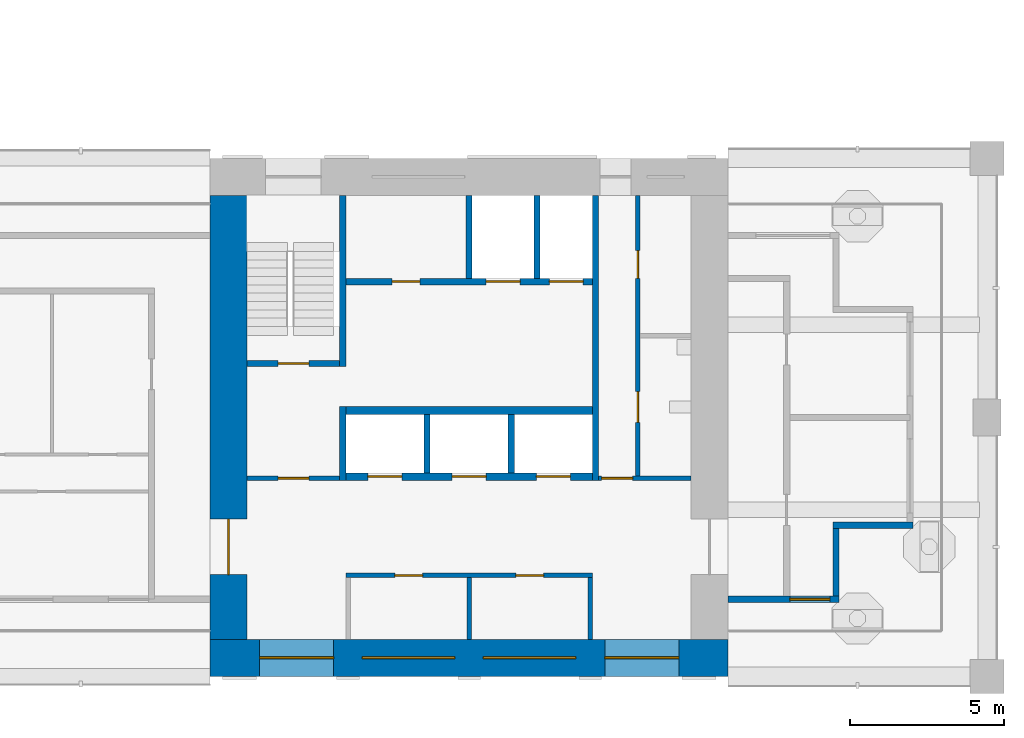
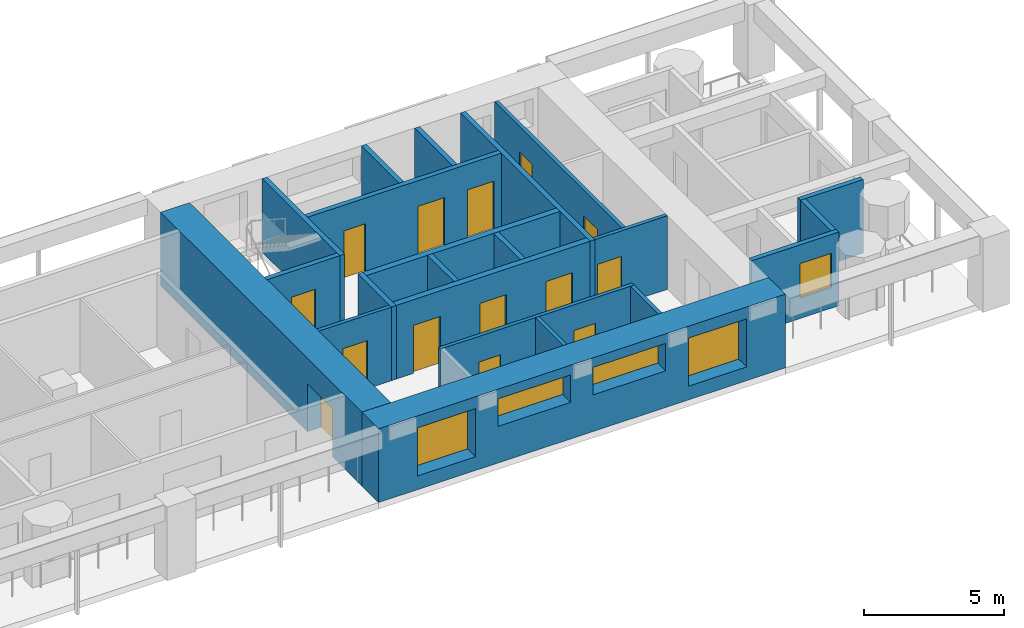
# One storey, part 4 of 13: 22 walls, 14 doors, 5 windows, 19 openings.
"""IFC4 building model written with IfcOpenShell, lengths in metres."""

from ifc_helpers import new_model, si_unit, direction, frame, frame_2d, origin, place, context, subcontext, project, spatial, rectangle, extrude, material, layer, layer_set, type_object, element, fill, save


model = new_model("IFC4")

# Units and contexts
model_context = context("Model", 3, precision=1e-05, world=origin(), true_north=direction((0.0, 1.0)))
body_context = subcontext(model_context, "Body", "Model", "MODEL_VIEW")
ifc_project = project(units=[si_unit("LENGTHUNIT", "METRE"), si_unit("AREAUNIT", "SQUARE_METRE"), si_unit("VOLUMEUNIT", "CUBIC_METRE"), si_unit("PLANEANGLEUNIT", "RADIAN"), si_unit("MASSUNIT", "GRAM", prefix="KILO")], contexts=[model_context])

# Site, building, storey
site_placement = place(None, origin())
site = spatial("IfcSite", under=ifc_project, at=site_placement, CompositionType="ELEMENT")
building_placement = place(site_placement, origin())
building = spatial("IfcBuilding", under=site, at=building_placement, Name="Vermilion Gate Residences", CompositionType="ELEMENT")
storey_placement = place(building_placement, frame((0.0, 0.0, 179.199951171875)))
storey = spatial("IfcBuildingStorey", under=building, at=storey_placement, Name="L46", CompositionType="ELEMENT", Elevation=179.199951171875)

# Walls
ifc_material_1 = material(Name="Masonry blockwork", Category="masonry")
ifc_layer_1 = layer(ifc_material_1, 0.14990234375)
ifc_layer_set_1 = layer_set([ifc_layer_1], Name="BLOCKWORK PARTITION 150 EI 120")
wall_type_1 = type_object("IfcWallType", Name="BLOCKWORK PARTITION 150 EI 120", PredefinedType="PARTITIONING", material=ifc_layer_set_1)
for number, where, z_axis, x_axis, name in (
    (1, (54.324951171875, 9.60009765625, 0.0), (0.0, 0.0, 1.0), (0.0, 1.0, 0.0), "Core room partition A46-RW-E"),
    (2, (50.39990234375, 9.60009765625, 0.0), (0.0, 0.0, 1.0), (0.0, 1.0, 0.0), "Core room partition A46-SR-P0"),
):
    element("IfcWall", number, at=place(storey_placement, frame(where, z_axis=z_axis, x_axis=x_axis)), inside=storey, type_object=wall_type_1, Name=name, PredefinedType="PARTITIONING", context=body_context, shape_type="SweptSolid", body=[
        extrude(rectangle(XDim=2.0, YDim=0.14990234375, at=frame_2d((1.0, 0.0))), origin(), (0.0, 0.0, 1.0), 3.219970703125),
    ])

# Wall, openings, doors
wall_1_placement = place(storey_placement, frame((46.39990234375, 11.675048828125, 0.0), z_axis=(0.0, 0.0, 1.0), x_axis=(1.0, 0.0, 0.0)))
wall_1 = element("IfcWall", 3, at=wall_1_placement, inside=storey, type_object=wall_type_1, Name="Core room partition A46-LR-F", PredefinedType="PARTITIONING", context=body_context, shape_type="SweptSolid", body=[
    extrude(rectangle(XDim=8.0, YDim=0.14990234375, at=frame_2d((4.0, 0.0))), origin(), (0.0, 0.0, 1.0), 3.219970703125),
])
opening_1_placement = place(wall_1_placement, frame((1.58740234375, 0.0, 0.0)))
opening_1 = element("IfcOpeningElement", 4, at=opening_1_placement, cuts=wall_1, Name="Opening DK46003", PredefinedType="OPENING", context=body_context, shape_type="SweptSolid", body=[
    extrude(rectangle(XDim=0.89990234375, YDim=2.10009765625, at=frame_2d((0.449951171875, 1.050048828125))), frame((0.0, 0.0849609375, 0.0), z_axis=(0.0, -1.0, 0.0), x_axis=(1.0, 0.0, 0.0)), (0.0, 0.0, 1.0), 0.169921875),
])
opening_2_placement = place(wall_1_placement, frame((5.512451171875, 0.0, 0.0)))
opening_2 = element("IfcOpeningElement", 5, at=opening_2_placement, cuts=wall_1, Name="Opening DK46004", PredefinedType="OPENING", context=body_context, shape_type="SweptSolid", body=[
    extrude(rectangle(XDim=0.89990234375, YDim=2.10009765625, at=frame_2d((0.449951171875, 1.050048828125))), frame((0.0, 0.0849609375, 0.0), z_axis=(0.0, -1.0, 0.0), x_axis=(1.0, 0.0, 0.0)), (0.0, 0.0, 1.0), 0.169921875),
])
ifc_material_2 = material(Name="Steel", Category="steel")
door_type_1 = type_object("IfcDoorType", Name="SERVICE ROOM DOOR FD60 900 X 2100", OperationType="SINGLE_SWING_LEFT", PredefinedType="DOOR", material=ifc_material_2)
door_1_placement = place(opening_1_placement, frame((0.89990234375, 0.0, 0.0), z_axis=(0.0, 0.0, 1.0), x_axis=(-1.0, 0.0, 0.0)))
door_1 = element("IfcDoor", 6, at=door_1_placement, inside=storey, type_object=door_type_1, Name="Mail room A46", OperationType="SINGLE_SWING_RIGHT", OverallHeight=2.10009765625, OverallWidth=0.89990234375, PredefinedType="DOOR", context=body_context, shape_type="SweptSolid", body=[
    extrude(rectangle(XDim=0.89990234375, YDim=2.10009765625, at=frame_2d((0.449951171875, 1.050048828125))), frame((0.0, 0.02490234375, 0.0), z_axis=(0.0, -1.0, 0.0), x_axis=(1.0, 0.0, 0.0)), (0.0, 0.0, 1.0), 0.050048828125),
])
fill(opening_1, door_1)
door_2_placement = place(opening_2_placement, frame((0.89990234375, 0.0, 0.0), z_axis=(0.0, 0.0, 1.0), x_axis=(-1.0, 0.0, 0.0)))
door_2 = element("IfcDoor", 7, at=door_2_placement, inside=storey, type_object=door_type_1, Name="Cleaner's store A46", OperationType="SINGLE_SWING_RIGHT", OverallHeight=2.10009765625, OverallWidth=0.89990234375, PredefinedType="DOOR", context=body_context, shape_type="SweptSolid", body=[
    extrude(rectangle(XDim=0.89990234375, YDim=2.10009765625, at=frame_2d((0.449951171875, 1.050048828125))), frame((0.0, 0.02490234375, 0.0), z_axis=(0.0, -1.0, 0.0), x_axis=(1.0, 0.0, 0.0)), (0.0, 0.0, 1.0), 0.050048828125),
])
fill(opening_2, door_2)

# Wall, opening, door
wall_2_placement = place(storey_placement, frame((43.199951171875, 14.824951171875, 0.0), z_axis=(0.0, 0.0, 1.0), x_axis=(1.0, 0.0, 0.0)))
wall_2 = element("IfcWall", 8, at=wall_2_placement, inside=storey, type_object=wall_type_1, Name="Core room partition A46-VW-S", PredefinedType="PARTITIONING", context=body_context, shape_type="SweptSolid", body=[
    extrude(rectangle(XDim=3.0, YDim=0.14990234375, at=frame_2d((1.5, 0.0))), origin(), (0.0, 0.0, 1.0), 3.219970703125),
])
opening_3_placement = place(wall_2_placement, frame((1.0, 0.0, 0.0)))
opening_3 = element("IfcOpeningElement", 9, at=opening_3_placement, cuts=wall_2, Name="Opening DK46011", PredefinedType="OPENING", context=body_context, shape_type="SweptSolid", body=[
    extrude(rectangle(XDim=1.0, YDim=2.10009765625, at=frame_2d((0.5, 1.050048828125))), frame((0.0, 0.0849609375, 0.0), z_axis=(0.0, -1.0, 0.0), x_axis=(1.0, 0.0, 0.0)), (0.0, 0.0, 1.0), 0.169921875),
])
ifc_material_3 = material(Name="Steel", Category="steel")
door_type_2 = type_object("IfcDoorType", Name="FIRE DOOR FD60 1000 X 2100", OperationType="SINGLE_SWING_LEFT", PredefinedType="DOOR", material=ifc_material_3)
door_3_placement = place(opening_3_placement, frame((1.0, 0.0, 0.0), z_axis=(0.0, 0.0, 1.0), x_axis=(-1.0, 0.0, 0.0)))
door_3 = element("IfcDoor", 10, at=door_3_placement, inside=storey, type_object=door_type_2, Name="Stair vestibule door A46", OperationType="SINGLE_SWING_RIGHT", OverallHeight=2.10009765625, OverallWidth=1.0, PredefinedType="DOOR", context=body_context, shape_type="SweptSolid", body=[
    extrude(rectangle(XDim=1.0, YDim=2.10009765625, at=frame_2d((0.5, 1.050048828125))), frame((0.0, 0.02490234375, 0.0), z_axis=(0.0, -1.0, 0.0), x_axis=(1.0, 0.0, 0.0)), (0.0, 0.0, 1.0), 0.050048828125),
])
fill(opening_3, door_3)

wall_3_placement = place(storey_placement, frame((54.60009765625, 14.824951171875, 0.0), z_axis=(0.0, 0.0, 1.0), x_axis=(1.0, 0.0, 0.0)))
wall_3 = element("IfcWall", 11, at=wall_3_placement, inside=storey, type_object=wall_type_1, Name="Core room partition A46-ES-S", PredefinedType="PARTITIONING", context=body_context, shape_type="SweptSolid", body=[
    extrude(rectangle(XDim=3.0, YDim=0.14990234375, at=frame_2d((1.5, 0.0))), origin(), (0.0, 0.0, 1.0), 3.219970703125),
])
opening_4_placement = place(wall_3_placement, frame((0.10009765625, 0.0, 0.0)))
opening_4 = element("IfcOpeningElement", 12, at=opening_4_placement, cuts=wall_3, Name="Opening DK46013", PredefinedType="OPENING", context=body_context, shape_type="SweptSolid", body=[
    extrude(rectangle(XDim=1.0, YDim=2.10009765625, at=frame_2d((0.5, 1.050048828125))), frame((0.0, 0.0849609375, 0.0), z_axis=(0.0, -1.0, 0.0), x_axis=(1.0, 0.0, 0.0)), (0.0, 0.0, 1.0), 0.169921875),
])
door_4_placement = place(opening_4_placement, frame((1.0, 0.0, 0.0), z_axis=(0.0, 0.0, 1.0), x_axis=(-1.0, 0.0, 0.0)))
door_4 = element("IfcDoor", 13, at=door_4_placement, inside=storey, type_object=door_type_2, Name="Service corridor door A46", OperationType="SINGLE_SWING_LEFT", OverallHeight=2.10009765625, OverallWidth=1.0, PredefinedType="DOOR", context=body_context, shape_type="SweptSolid", body=[
    extrude(rectangle(XDim=1.0, YDim=2.10009765625, at=frame_2d((0.5, 1.050048828125))), frame((0.0, 0.02490234375, 0.0), z_axis=(0.0, -1.0, 0.0), x_axis=(1.0, 0.0, 0.0)), (0.0, 0.0, 1.0), 0.050048828125),
])
fill(opening_4, door_4)

# Wall, openings, doors
wall_4_placement = place(storey_placement, frame((55.875, 14.89990234375, 0.0), z_axis=(0.0, 0.0, 1.0), x_axis=(0.0, 1.0, 0.0)))
wall_4 = element("IfcWall", 14, at=wall_4_placement, inside=storey, type_object=wall_type_1, Name="Core room partition A46-ES-W", PredefinedType="PARTITIONING", context=body_context, shape_type="SweptSolid", body=[
    extrude(rectangle(XDim=9.10009765625, YDim=0.14990234375, at=frame_2d((4.550048828125, 0.0))), origin(), (0.0, 0.0, 1.0), 3.219970703125),
])
opening_5_placement = place(wall_4_placement, frame((1.737548828125, 0.0, 0.0)))
opening_5 = element("IfcOpeningElement", 15, at=opening_5_placement, cuts=wall_4, Name="Opening DK46014", PredefinedType="OPENING", context=body_context, shape_type="SweptSolid", body=[
    extrude(rectangle(XDim=1.0, YDim=2.10009765625, at=frame_2d((0.5, 1.050048828125))), frame((0.0, 0.0849609375, 0.0), z_axis=(0.0, -1.0, 0.0), x_axis=(1.0, 0.0, 0.0)), (0.0, 0.0, 1.0), 0.169921875),
])
opening_6_placement = place(wall_4_placement, frame((6.41259765625, 0.0, 0.0)))
opening_6 = element("IfcOpeningElement", 16, at=opening_6_placement, cuts=wall_4, Name="Opening DK46015", PredefinedType="OPENING", context=body_context, shape_type="SweptSolid", body=[
    extrude(rectangle(XDim=0.89990234375, YDim=2.10009765625, at=frame_2d((0.449951171875, 1.050048828125))), frame((0.0, 0.0849609375, 0.0), z_axis=(0.0, -1.0, 0.0), x_axis=(1.0, 0.0, 0.0)), (0.0, 0.0, 1.0), 0.169921875),
])
door_5_placement = place(opening_5_placement, frame((1.0, 0.0, 0.0), z_axis=(0.0, 0.0, 1.0), x_axis=(-1.0, 0.0, 0.0)))
door_5 = element("IfcDoor", 17, at=door_5_placement, inside=storey, type_object=door_type_2, Name="Accessible WC A46", OperationType="SINGLE_SWING_RIGHT", OverallHeight=2.10009765625, OverallWidth=1.0, PredefinedType="DOOR", context=body_context, shape_type="SweptSolid", body=[
    extrude(rectangle(XDim=1.0, YDim=2.10009765625, at=frame_2d((0.5, 1.050048828125))), frame((0.0, 0.02490234375, 0.0), z_axis=(0.0, -1.0, 0.0), x_axis=(1.0, 0.0, 0.0)), (0.0, 0.0, 1.0), 0.050048828125),
])
fill(opening_5, door_5)
door_6_placement = place(opening_6_placement, frame((0.89990234375, 0.0, 0.0), z_axis=(0.0, 0.0, 1.0), x_axis=(-1.0, 0.0, 0.0)))
door_6 = element("IfcDoor", 18, at=door_6_placement, inside=storey, type_object=door_type_1, Name="Communications room A46", OperationType="SINGLE_SWING_RIGHT", OverallHeight=2.10009765625, OverallWidth=0.89990234375, PredefinedType="DOOR", context=body_context, shape_type="SweptSolid", body=[
    extrude(rectangle(XDim=0.89990234375, YDim=2.10009765625, at=frame_2d((0.449951171875, 1.050048828125))), frame((0.0, 0.02490234375, 0.0), z_axis=(0.0, -1.0, 0.0), x_axis=(1.0, 0.0, 0.0)), (0.0, 0.0, 1.0), 0.050048828125),
])
fill(opening_6, door_6)

# Wall, opening, window
ifc_material_4 = material(Name="Insulated steel stud wall with terracotta rainscreen", Category="masonry")
ifc_layer_2 = layer(ifc_material_4, 0.199951171875)
ifc_layer_set_2 = layer_set([ifc_layer_2], Name="EXTERNAL WALL 200 TERRACOTTA RAINSCREEN")
wall_type_2 = type_object("IfcWallType", Name="EXTERNAL WALL 200 TERRACOTTA RAINSCREEN", PredefinedType="SOLIDWALL", material=ifc_layer_set_2)
wall_5_placement = place(storey_placement, frame((58.800048828125, 10.89990234375, 0.0), z_axis=(0.0, 0.0, 1.0), x_axis=(1.0, 0.0, 0.0)))
wall_5 = element("IfcWall", 19, at=wall_5_placement, inside=storey, type_object=wall_type_2, Name="External wall", PredefinedType="SOLIDWALL", context=body_context, shape_type="SweptSolid", body=[
    extrude(rectangle(XDim=3.599853515625, YDim=0.199951171875, at=frame_2d((1.7998046875, 0.0))), origin(), (0.0, 0.0, 1.0), 3.219970703125),
])
opening_7_placement = place(wall_5_placement, frame((2.0, 0.0, 0.89990234375)))
opening_7 = element("IfcOpeningElement", 20, at=opening_7_placement, cuts=wall_5, Name="Opening WE46015", PredefinedType="OPENING", context=body_context, shape_type="SweptSolid", body=[
    extrude(rectangle(XDim=1.300048828125, YDim=1.5, at=frame_2d((0.64990234375, 0.75))), frame((0.0, 0.10986328125, 0.0), z_axis=(0.0, -1.0, 0.0), x_axis=(1.0, 0.0, 0.0)), (0.0, 0.0, 1.0), 0.219970703125),
])
ifc_material_5 = material(Name="Aluminium and clear glass", Category="aluminium")
window_type_1 = type_object("IfcWindowType", Name="WINDOW 1300 X 1500", PartitioningType="SINGLE_PANEL", PredefinedType="WINDOW", material=ifc_material_5)
window_1_placement = place(opening_7_placement, origin())
window_1 = element("IfcWindow", 21, at=window_1_placement, inside=storey, type_object=window_type_1, Name="Window", OverallHeight=1.5, OverallWidth=1.300048828125, PartitioningType="SINGLE_PANEL", PredefinedType="WINDOW", context=body_context, shape_type="SweptSolid", body=[
    extrude(rectangle(XDim=1.300048828125, YDim=1.5, at=frame_2d((0.64990234375, 0.75))), frame((0.0, 0.030029296875, 0.0), z_axis=(0.0, -1.0, 0.0), x_axis=(1.0, 0.0, 0.0)), (0.0, 0.0, 1.0), 0.06005859375),
])
fill(opening_7, window_1)

# Walls
wall_6_placement = place(storey_placement, frame((62.300048828125, 11.0, 0.0), z_axis=(0.0, 0.0, 1.0), x_axis=(0.0, 1.0, 0.0)))
element("IfcWall", 22, at=wall_6_placement, inside=storey, type_object=wall_type_2, Name="External wall", PredefinedType="SOLIDWALL", context=body_context, shape_type="SweptSolid", body=[
    extrude(rectangle(XDim=2.199951171875, YDim=0.199951171875, at=frame_2d((1.10009765625, 0.0))), origin(), (0.0, 0.0, 1.0), 3.219970703125),
])
wall_7_placement = place(storey_placement, frame((62.199951171875, 13.300048828125, 0.0), z_axis=(0.0, 0.0, 1.0), x_axis=(1.0, 0.0, 0.0)))
element("IfcWall", 23, at=wall_7_placement, inside=storey, type_object=wall_type_2, Name="External wall", PredefinedType="SOLIDWALL", context=body_context, shape_type="SweptSolid", body=[
    extrude(rectangle(XDim=2.60009765625, YDim=0.199951171875, at=frame_2d((1.300048828125, 0.0))), origin(), (0.0, 0.0, 1.0), 3.219970703125),
])
ifc_material_6 = material(Name="Concrete C60", Category="concrete")
ifc_layer_3 = layer(ifc_material_6, 0.199951171875)
ifc_layer_set_3 = layer_set([ifc_layer_3], Name="RC CORE INTERNAL WALL 200 C60")
wall_type_3 = type_object("IfcWallType", Name="RC CORE INTERNAL WALL 200 C60", PredefinedType="SHEAR", material=ifc_layer_set_3)
for number, where, z_axis, x_axis, name in (
    (24, (49.033447265625, 15.0, 0.0), (0.0, 0.0, 1.0), (0.0, 1.0, 0.0), "Core internal wall A46-HR-D1"),
    (25, (51.7666015625, 15.0, 0.0), (0.0, 0.0, 1.0), (0.0, 1.0, 0.0), "Core internal wall A46-HR-D2"),
):
    element("IfcWall", number, at=place(storey_placement, frame(where, z_axis=z_axis, x_axis=x_axis)), inside=storey, type_object=wall_type_3, Name=name, PredefinedType="SHEAR", context=body_context, shape_type="SweptSolid", body=[
        extrude(rectangle(XDim=1.89990234375, YDim=0.199951171875, at=frame_2d((0.949951171875, 0.0))), origin(), (0.0, 0.0, 1.0), 3.219970703125),
    ])
for number, where, z_axis, x_axis, name in (
    (26, (50.39990234375, 21.300048828125, 0.0), (0.0, 0.0, 1.0), (0.0, 1.0, 0.0), "Core internal wall A46-FF-D0"),
    (27, (52.60009765625, 21.300048828125, 0.0), (0.0, 0.0, 1.0), (0.0, 1.0, 0.0), "Core internal wall A46-FF-D1"),
):
    element("IfcWall", number, at=place(storey_placement, frame(where, z_axis=z_axis, x_axis=x_axis)), inside=storey, type_object=wall_type_3, Name=name, PredefinedType="SHEAR", context=body_context, shape_type="SweptSolid", body=[
        extrude(rectangle(XDim=2.699951171875, YDim=0.199951171875, at=frame_2d((1.35009765625, 0.0))), origin(), (0.0, 0.0, 1.0), 3.219970703125),
    ])

# Wall, openings, doors
wall_8_placement = place(storey_placement, frame((46.39990234375, 21.199951171875, 0.0), z_axis=(0.0, 0.0, 1.0), x_axis=(1.0, 0.0, 0.0)))
wall_8 = element("IfcWall", 28, at=wall_8_placement, inside=storey, type_object=wall_type_3, Name="Core internal wall A46-FF-F", PredefinedType="SHEAR", context=body_context, shape_type="SweptSolid", body=[
    extrude(rectangle(XDim=8.0, YDim=0.199951171875, at=frame_2d((4.0, 0.0))), origin(), (0.0, 0.0, 1.0), 3.219970703125),
])
opening_8_placement = place(wall_8_placement, frame((1.5, 0.0, 0.0)))
opening_8 = element("IfcOpeningElement", 29, at=opening_8_placement, cuts=wall_8, Name="Opening DK46008", PredefinedType="OPENING", context=body_context, shape_type="SweptSolid", body=[
    extrude(rectangle(XDim=0.89990234375, YDim=2.10009765625, at=frame_2d((0.449951171875, 1.050048828125))), frame((0.0, 0.10986328125, 0.0), z_axis=(0.0, -1.0, 0.0), x_axis=(1.0, 0.0, 0.0)), (0.0, 0.0, 1.0), 0.219970703125),
])
opening_9_placement = place(wall_8_placement, frame((4.550048828125, 0.0, 0.0)))
opening_9 = element("IfcOpeningElement", 30, at=opening_9_placement, cuts=wall_8, Name="Opening LD", PredefinedType="OPENING", context=body_context, shape_type="SweptSolid", body=[
    extrude(rectangle(XDim=1.10009765625, YDim=2.10009765625, at=frame_2d((0.550048828125, 1.050048828125))), frame((0.0, 0.10986328125, 0.0), z_axis=(0.0, -1.0, 0.0), x_axis=(1.0, 0.0, 0.0)), (0.0, 0.0, 1.0), 0.219970703125),
])
opening_10_placement = place(wall_8_placement, frame((6.60009765625, 0.0, 0.0)))
opening_10 = element("IfcOpeningElement", 31, at=opening_10_placement, cuts=wall_8, Name="Opening LD", PredefinedType="OPENING", context=body_context, shape_type="SweptSolid", body=[
    extrude(rectangle(XDim=1.10009765625, YDim=2.10009765625, at=frame_2d((0.550048828125, 1.050048828125))), frame((0.0, 0.10986328125, 0.0), z_axis=(0.0, -1.0, 0.0), x_axis=(1.0, 0.0, 0.0)), (0.0, 0.0, 1.0), 0.219970703125),
])
ifc_material_7 = material(Name="Stainless steel", Category="steel")
door_type_3 = type_object("IfcDoorType", Name="LIFT LANDING DOOR E60 1100 X 2100", OperationType="DOUBLE_DOOR_SLIDING", PredefinedType="DOOR", material=ifc_material_7)
door_7_placement = place(opening_9_placement, origin())
door_7 = element("IfcDoor", 32, at=door_7_placement, inside=storey, type_object=door_type_3, Name="Lift landing door LFA1", OperationType="DOUBLE_DOOR_SLIDING", OverallHeight=2.10009765625, OverallWidth=1.10009765625, PredefinedType="DOOR", context=body_context, shape_type="SweptSolid", body=[
    extrude(rectangle(XDim=1.10009765625, YDim=2.10009765625, at=frame_2d((0.550048828125, 1.050048828125))), frame((0.0, 0.02490234375, 0.0), z_axis=(0.0, -1.0, 0.0), x_axis=(1.0, 0.0, 0.0)), (0.0, 0.0, 1.0), 0.050048828125),
])
fill(opening_9, door_7)
door_8_placement = place(opening_10_placement, origin())
door_8 = element("IfcDoor", 33, at=door_8_placement, inside=storey, type_object=door_type_3, Name="Lift landing door LCA1", OperationType="DOUBLE_DOOR_SLIDING", OverallHeight=2.10009765625, OverallWidth=1.10009765625, PredefinedType="DOOR", context=body_context, shape_type="SweptSolid", body=[
    extrude(rectangle(XDim=1.10009765625, YDim=2.10009765625, at=frame_2d((0.550048828125, 1.050048828125))), frame((0.0, 0.02490234375, 0.0), z_axis=(0.0, -1.0, 0.0), x_axis=(1.0, 0.0, 0.0)), (0.0, 0.0, 1.0), 0.050048828125),
])
fill(opening_10, door_8)
door_9_placement = place(opening_8_placement, origin())
door_9 = element("IfcDoor", 34, at=door_9_placement, inside=storey, type_object=door_type_1, Name="Housekeeping store A46", OperationType="SINGLE_SWING_LEFT", OverallHeight=2.10009765625, OverallWidth=0.89990234375, PredefinedType="DOOR", context=body_context, shape_type="SweptSolid", body=[
    extrude(rectangle(XDim=0.89990234375, YDim=2.10009765625, at=frame_2d((0.449951171875, 1.050048828125))), frame((0.0, 0.02490234375, 0.0), z_axis=(0.0, -1.0, 0.0), x_axis=(1.0, 0.0, 0.0)), (0.0, 0.0, 1.0), 0.050048828125),
])
fill(opening_8, door_9)

# Walls
wall_9_placement = place(storey_placement, frame((46.300048828125, 14.75, 0.0), z_axis=(0.0, 0.0, 1.0), x_axis=(0.0, 1.0, 0.0)))
element("IfcWall", 35, at=wall_9_placement, inside=storey, type_object=wall_type_3, Name="Core internal wall A46-WDIV1", PredefinedType="SHEAR", context=body_context, shape_type="SweptSolid", body=[
    extrude(rectangle(XDim=2.39990234375, YDim=0.199951171875, at=frame_2d((1.199951171875, 0.0))), origin(), (0.0, 0.0, 1.0), 3.219970703125),
])
wall_10_placement = place(storey_placement, frame((46.300048828125, 18.449951171875, 0.0), z_axis=(0.0, 0.0, 1.0), x_axis=(0.0, 1.0, 0.0)))
element("IfcWall", 36, at=wall_10_placement, inside=storey, type_object=wall_type_3, Name="Core internal wall A46-WDIV2", PredefinedType="SHEAR", context=body_context, shape_type="SweptSolid", body=[
    extrude(rectangle(XDim=5.550048828125, YDim=0.199951171875, at=frame_2d((2.77490234375, 0.0))), origin(), (0.0, 0.0, 1.0), 3.219970703125),
])

# Wall, opening, door
wall_11_placement = place(storey_placement, frame((43.199951171875, 18.550048828125, 0.0), z_axis=(0.0, 0.0, 1.0), x_axis=(1.0, 0.0, 0.0)))
wall_11 = element("IfcWall", 37, at=wall_11_placement, inside=storey, type_object=wall_type_3, Name="Core internal wall A46-STW-S", PredefinedType="SHEAR", context=body_context, shape_type="SweptSolid", body=[
    extrude(rectangle(XDim=3.0, YDim=0.199951171875, at=frame_2d((1.5, 0.0))), origin(), (0.0, 0.0, 1.0), 3.219970703125),
])
opening_11_placement = place(wall_11_placement, frame((1.0, 0.0, 0.0)))
opening_11 = element("IfcOpeningElement", 38, at=opening_11_placement, cuts=wall_11, Name="Opening DK46012", PredefinedType="OPENING", context=body_context, shape_type="SweptSolid", body=[
    extrude(rectangle(XDim=1.0, YDim=2.10009765625, at=frame_2d((0.5, 1.050048828125))), frame((0.0, 0.10986328125, 0.0), z_axis=(0.0, -1.0, 0.0), x_axis=(1.0, 0.0, 0.0)), (0.0, 0.0, 1.0), 0.219970703125),
])
door_10_placement = place(opening_11_placement, origin())
door_10 = element("IfcDoor", 39, at=door_10_placement, inside=storey, type_object=door_type_2, Name="Stair door A46", OperationType="SINGLE_SWING_LEFT", OverallHeight=2.10009765625, OverallWidth=1.0, PredefinedType="DOOR", context=body_context, shape_type="SweptSolid", body=[
    extrude(rectangle(XDim=1.0, YDim=2.10009765625, at=frame_2d((0.5, 1.050048828125))), frame((0.0, 0.02490234375, 0.0), z_axis=(0.0, -1.0, 0.0), x_axis=(1.0, 0.0, 0.0)), (0.0, 0.0, 1.0), 0.050048828125),
])
fill(opening_11, door_10)

# Wall
wall_12_placement = place(storey_placement, frame((54.5, 14.75, 0.0), z_axis=(0.0, 0.0, 1.0), x_axis=(0.0, 1.0, 0.0)))
element("IfcWall", 40, at=wall_12_placement, inside=storey, type_object=wall_type_3, Name="Core internal wall A46-EDIV", PredefinedType="SHEAR", context=body_context, shape_type="SweptSolid", body=[
    extrude(rectangle(XDim=9.25, YDim=0.199951171875, at=frame_2d((4.625, 0.0))), origin(), (0.0, 0.0, 1.0), 3.219970703125),
])

# Wall, opening, door
ifc_material_8 = material(Name="Concrete C60", Category="concrete")
ifc_layer_4 = layer(ifc_material_8, 1.199951171875)
ifc_layer_set_4 = layer_set([ifc_layer_4], Name="RC CORE WALL 1200 C60")
wall_type_4 = type_object("IfcWallType", Name="RC CORE WALL 1200 C60", PredefinedType="SHEAR", material=ifc_layer_set_4)
wall_13_placement = place(storey_placement, frame((42.60009765625, 9.60009765625, 0.0), z_axis=(0.0, 0.0, 1.0), x_axis=(0.0, 1.0, 0.0)))
wall_13 = element("IfcWall", 41, at=wall_13_placement, inside=storey, type_object=wall_type_4, Name="Core wall A46-OUT-FR", PredefinedType="SHEAR", context=body_context, shape_type="SweptSolid", body=[
    extrude(rectangle(XDim=14.39990234375, YDim=1.199951171875, at=frame_2d((7.199951171875, 0.0))), origin(), (0.0, 0.0, 1.0), 3.219970703125),
])
opening_12_placement = place(wall_13_placement, frame((2.10009765625, 0.0, 0.0)))
opening_12 = element("IfcOpeningElement", 42, at=opening_12_placement, cuts=wall_13, Name="Opening DK46001", PredefinedType="OPENING", context=body_context, shape_type="SweptSolid", body=[
    extrude(rectangle(XDim=1.800048828125, YDim=2.10009765625, at=frame_2d((0.89990234375, 1.050048828125))), frame((0.0, 0.60986328125, 0.0), z_axis=(0.0, -1.0, 0.0), x_axis=(1.0, 0.0, 0.0)), (0.0, 0.0, 1.0), 1.219970703125),
])
ifc_material_9 = material(Name="Steel", Category="steel")
door_type_4 = type_object("IfcDoorType", Name="CORE LOBBY DOOR FD60 1800 X 2100", OperationType="DOUBLE_DOOR_SINGLE_SWING", PredefinedType="DOOR", material=ifc_material_9)
door_11_placement = place(opening_12_placement, frame((1.800048828125, 0.0, 0.0), z_axis=(0.0, 0.0, 1.0), x_axis=(-1.0, 0.0, 0.0)))
door_11 = element("IfcDoor", 43, at=door_11_placement, inside=storey, type_object=door_type_4, Name="Core lobby door A46", OperationType="DOUBLE_DOOR_SINGLE_SWING", OverallHeight=2.10009765625, OverallWidth=1.800048828125, PredefinedType="DOOR", context=body_context, shape_type="SweptSolid", body=[
    extrude(rectangle(XDim=1.800048828125, YDim=2.10009765625, at=frame_2d((0.89990234375, 1.050048828125))), frame((0.0, 0.02490234375, 0.0), z_axis=(0.0, -1.0, 0.0), x_axis=(1.0, 0.0, 0.0)), (0.0, 0.0, 1.0), 0.050048828125),
])
fill(opening_12, door_11)

# Wall, openings, windows
ifc_material_10 = material(Name="Concrete C60 red-oxide pigmented", Category="concrete")
ifc_layer_5 = layer(ifc_material_10, 1.199951171875)
ifc_layer_set_5 = layer_set([ifc_layer_5], Name="RC CORE WALL 1200 C60 RED OXIDE")
wall_type_5 = type_object("IfcWallType", Name="RC CORE WALL 1200 C60 RED OXIDE", PredefinedType="SHEAR", material=ifc_layer_set_5)
wall_14_placement = place(storey_placement, frame((42.0, 9.0, 0.0), z_axis=(0.0, 0.0, 1.0), x_axis=(1.0, 0.0, 0.0)))
wall_14 = element("IfcWall", 44, at=wall_14_placement, inside=storey, type_object=wall_type_5, Name="Core wall A46-OUT-B0", PredefinedType="SHEAR", context=body_context, shape_type="SweptSolid", body=[
    extrude(rectangle(XDim=16.800048828125, YDim=1.199951171875, at=frame_2d((8.39990234375, 0.0))), origin(), (0.0, 0.0, 1.0), 3.219970703125),
])
opening_13_placement = place(wall_14_placement, frame((1.60009765625, 0.0, 0.60009765625)))
opening_13 = element("IfcOpeningElement", 45, at=opening_13_placement, cuts=wall_14, Name="Opening WKA4601", PredefinedType="OPENING", context=body_context, shape_type="SweptSolid", body=[
    extrude(rectangle(XDim=2.39990234375, YDim=2.10009765625, at=frame_2d((1.199951171875, 1.050048828125))), frame((0.0, 0.60986328125, 0.0), z_axis=(0.0, -1.0, 0.0), x_axis=(1.0, 0.0, 0.0)), (0.0, 0.0, 1.0), 1.219970703125),
])
opening_14_placement = place(wall_14_placement, frame((4.9375, 0.0, 1.60009765625)))
opening_14 = element("IfcOpeningElement", 46, at=opening_14_placement, cuts=wall_14, Name="Opening WKA4602", PredefinedType="OPENING", context=body_context, shape_type="SweptSolid", body=[
    extrude(rectangle(XDim=3.0, YDim=1.199951171875, at=frame_2d((1.5, 0.60009765625))), frame((0.0, 0.60986328125, 0.0), z_axis=(0.0, -1.0, 0.0), x_axis=(1.0, 0.0, 0.0)), (0.0, 0.0, 1.0), 1.219970703125),
])
opening_15_placement = place(wall_14_placement, frame((8.862548828125, 0.0, 1.60009765625)))
opening_15 = element("IfcOpeningElement", 47, at=opening_15_placement, cuts=wall_14, Name="Opening WKA4603", PredefinedType="OPENING", context=body_context, shape_type="SweptSolid", body=[
    extrude(rectangle(XDim=3.0, YDim=1.199951171875, at=frame_2d((1.5, 0.60009765625))), frame((0.0, 0.60986328125, 0.0), z_axis=(0.0, -1.0, 0.0), x_axis=(1.0, 0.0, 0.0)), (0.0, 0.0, 1.0), 1.219970703125),
])
opening_16_placement = place(wall_14_placement, frame((12.800048828125, 0.0, 0.60009765625)))
opening_16 = element("IfcOpeningElement", 48, at=opening_16_placement, cuts=wall_14, Name="Opening WKA4604", PredefinedType="OPENING", context=body_context, shape_type="SweptSolid", body=[
    extrude(rectangle(XDim=2.39990234375, YDim=2.10009765625, at=frame_2d((1.199951171875, 1.050048828125))), frame((0.0, 0.60986328125, 0.0), z_axis=(0.0, -1.0, 0.0), x_axis=(1.0, 0.0, 0.0)), (0.0, 0.0, 1.0), 1.219970703125),
])
ifc_material_11 = material(Name="Aluminium and clear glass", Category="aluminium")
window_type_2 = type_object("IfcWindowType", Name="CORE LOBBY WINDOW 2400 X 2100", PartitioningType="SINGLE_PANEL", PredefinedType="WINDOW", material=ifc_material_11)
window_2_placement = place(opening_13_placement, origin())
window_2 = element("IfcWindow", 49, at=window_2_placement, inside=storey, type_object=window_type_2, Name="Core lobby window", OverallHeight=2.10009765625, OverallWidth=2.39990234375, PartitioningType="SINGLE_PANEL", PredefinedType="WINDOW", context=body_context, shape_type="SweptSolid", body=[
    extrude(rectangle(XDim=2.39990234375, YDim=2.10009765625, at=frame_2d((1.199951171875, 1.050048828125))), frame((0.0, 0.030029296875, 0.0), z_axis=(0.0, -1.0, 0.0), x_axis=(1.0, 0.0, 0.0)), (0.0, 0.0, 1.0), 0.06005859375),
])
fill(opening_13, window_2)
window_3_placement = place(opening_16_placement, origin())
window_3 = element("IfcWindow", 50, at=window_3_placement, inside=storey, type_object=window_type_2, Name="Core lobby window", OverallHeight=2.10009765625, OverallWidth=2.39990234375, PartitioningType="SINGLE_PANEL", PredefinedType="WINDOW", context=body_context, shape_type="SweptSolid", body=[
    extrude(rectangle(XDim=2.39990234375, YDim=2.10009765625, at=frame_2d((1.199951171875, 1.050048828125))), frame((0.0, 0.030029296875, 0.0), z_axis=(0.0, -1.0, 0.0), x_axis=(1.0, 0.0, 0.0)), (0.0, 0.0, 1.0), 0.06005859375),
])
fill(opening_16, window_3)
ifc_material_12 = material(Name="Aluminium frame with louvre blades", Category="aluminium")
window_type_3 = type_object("IfcWindowType", Name="CORE LOUVRE 3000 X 1200", PartitioningType="SINGLE_PANEL", PredefinedType="WINDOW", material=ifc_material_12)
window_4_placement = place(opening_14_placement, origin())
window_4 = element("IfcWindow", 51, at=window_4_placement, inside=storey, type_object=window_type_3, Name="Core louvre", OverallHeight=1.199951171875, OverallWidth=3.0, PartitioningType="SINGLE_PANEL", PredefinedType="WINDOW", context=body_context, shape_type="SweptSolid", body=[
    extrude(rectangle(XDim=3.0, YDim=1.199951171875, at=frame_2d((1.5, 0.60009765625))), frame((0.0, 0.030029296875, 0.0), z_axis=(0.0, -1.0, 0.0), x_axis=(1.0, 0.0, 0.0)), (0.0, 0.0, 1.0), 0.06005859375),
])
fill(opening_14, window_4)
window_5_placement = place(opening_15_placement, origin())
window_5 = element("IfcWindow", 52, at=window_5_placement, inside=storey, type_object=window_type_3, Name="Core louvre", OverallHeight=1.199951171875, OverallWidth=3.0, PartitioningType="SINGLE_PANEL", PredefinedType="WINDOW", context=body_context, shape_type="SweptSolid", body=[
    extrude(rectangle(XDim=3.0, YDim=1.199951171875, at=frame_2d((1.5, 0.60009765625))), frame((0.0, 0.030029296875, 0.0), z_axis=(0.0, -1.0, 0.0), x_axis=(1.0, 0.0, 0.0)), (0.0, 0.0, 1.0), 0.06005859375),
])
fill(opening_15, window_5)

# Wall, openings, doors
ifc_material_13 = material(Name="Concrete C60", Category="concrete")
ifc_layer_6 = layer(ifc_material_13, 0.25)
ifc_layer_set_6 = layer_set([ifc_layer_6], Name="RC LIFT SHAFT WALL 250 C60")
wall_type_6 = type_object("IfcWallType", Name="RC LIFT SHAFT WALL 250 C60", PredefinedType="SHEAR", material=ifc_layer_set_6)
wall_15_placement = place(storey_placement, frame((46.39990234375, 14.875, 0.0), z_axis=(0.0, 0.0, 1.0), x_axis=(1.0, 0.0, 0.0)))
wall_15 = element("IfcWall", 53, at=wall_15_placement, inside=storey, type_object=wall_type_6, Name="Lift shaft wall A46-HR-F", PredefinedType="SHEAR", context=body_context, shape_type="SweptSolid", body=[
    extrude(rectangle(XDim=8.0, YDim=0.25, at=frame_2d((4.0, 0.0))), origin(), (0.0, 0.0, 1.0), 3.219970703125),
])
opening_17_placement = place(wall_15_placement, frame((0.716552734375, 0.0, 0.0)))
opening_17 = element("IfcOpeningElement", 54, at=opening_17_placement, cuts=wall_15, Name="Opening LD", PredefinedType="OPENING", context=body_context, shape_type="SweptSolid", body=[
    extrude(rectangle(XDim=1.10009765625, YDim=2.10009765625, at=frame_2d((0.550048828125, 1.050048828125))), frame((0.0, 0.135009765625, 0.0), z_axis=(0.0, -1.0, 0.0), x_axis=(1.0, 0.0, 0.0)), (0.0, 0.0, 1.0), 0.27001953125),
])
opening_18_placement = place(wall_15_placement, frame((3.449951171875, 0.0, 0.0)))
opening_18 = element("IfcOpeningElement", 55, at=opening_18_placement, cuts=wall_15, Name="Opening LD", PredefinedType="OPENING", context=body_context, shape_type="SweptSolid", body=[
    extrude(rectangle(XDim=1.10009765625, YDim=2.10009765625, at=frame_2d((0.550048828125, 1.050048828125))), frame((0.0, 0.135009765625, 0.0), z_axis=(0.0, -1.0, 0.0), x_axis=(1.0, 0.0, 0.0)), (0.0, 0.0, 1.0), 0.27001953125),
])
opening_19_placement = place(wall_15_placement, frame((6.183349609375, 0.0, 0.0)))
opening_19 = element("IfcOpeningElement", 56, at=opening_19_placement, cuts=wall_15, Name="Opening LD", PredefinedType="OPENING", context=body_context, shape_type="SweptSolid", body=[
    extrude(rectangle(XDim=1.10009765625, YDim=2.10009765625, at=frame_2d((0.550048828125, 1.050048828125))), frame((0.0, 0.135009765625, 0.0), z_axis=(0.0, -1.0, 0.0), x_axis=(1.0, 0.0, 0.0)), (0.0, 0.0, 1.0), 0.27001953125),
])
door_12_placement = place(opening_17_placement, origin())
door_12 = element("IfcDoor", 57, at=door_12_placement, inside=storey, type_object=door_type_3, Name="Lift landing door HRA1", OperationType="DOUBLE_DOOR_SLIDING", OverallHeight=2.10009765625, OverallWidth=1.10009765625, PredefinedType="DOOR", context=body_context, shape_type="SweptSolid", body=[
    extrude(rectangle(XDim=1.10009765625, YDim=2.10009765625, at=frame_2d((0.550048828125, 1.050048828125))), frame((0.0, 0.02490234375, 0.0), z_axis=(0.0, -1.0, 0.0), x_axis=(1.0, 0.0, 0.0)), (0.0, 0.0, 1.0), 0.050048828125),
])
fill(opening_17, door_12)
door_13_placement = place(opening_18_placement, origin())
door_13 = element("IfcDoor", 58, at=door_13_placement, inside=storey, type_object=door_type_3, Name="Lift landing door HRA2", OperationType="DOUBLE_DOOR_SLIDING", OverallHeight=2.10009765625, OverallWidth=1.10009765625, PredefinedType="DOOR", context=body_context, shape_type="SweptSolid", body=[
    extrude(rectangle(XDim=1.10009765625, YDim=2.10009765625, at=frame_2d((0.550048828125, 1.050048828125))), frame((0.0, 0.02490234375, 0.0), z_axis=(0.0, -1.0, 0.0), x_axis=(1.0, 0.0, 0.0)), (0.0, 0.0, 1.0), 0.050048828125),
])
fill(opening_18, door_13)
door_14_placement = place(opening_19_placement, origin())
door_14 = element("IfcDoor", 59, at=door_14_placement, inside=storey, type_object=door_type_3, Name="Lift landing door HRA3", OperationType="DOUBLE_DOOR_SLIDING", OverallHeight=2.10009765625, OverallWidth=1.10009765625, PredefinedType="DOOR", context=body_context, shape_type="SweptSolid", body=[
    extrude(rectangle(XDim=1.10009765625, YDim=2.10009765625, at=frame_2d((0.550048828125, 1.050048828125))), frame((0.0, 0.02490234375, 0.0), z_axis=(0.0, -1.0, 0.0), x_axis=(1.0, 0.0, 0.0)), (0.0, 0.0, 1.0), 0.050048828125),
])
fill(opening_19, door_14)

# Wall
wall_16_placement = place(storey_placement, frame((46.39990234375, 17.02490234375, 0.0), z_axis=(0.0, 0.0, 1.0), x_axis=(1.0, 0.0, 0.0)))
element("IfcWall", 60, at=wall_16_placement, inside=storey, type_object=wall_type_6, Name="Lift shaft wall A46-HR-B", PredefinedType="SHEAR", context=body_context, shape_type="SweptSolid", body=[
    extrude(rectangle(XDim=8.0, YDim=0.25, at=frame_2d((4.0, 0.0))), origin(), (0.0, 0.0, 1.0), 3.219970703125),
])

save(model, "model.ifc")
